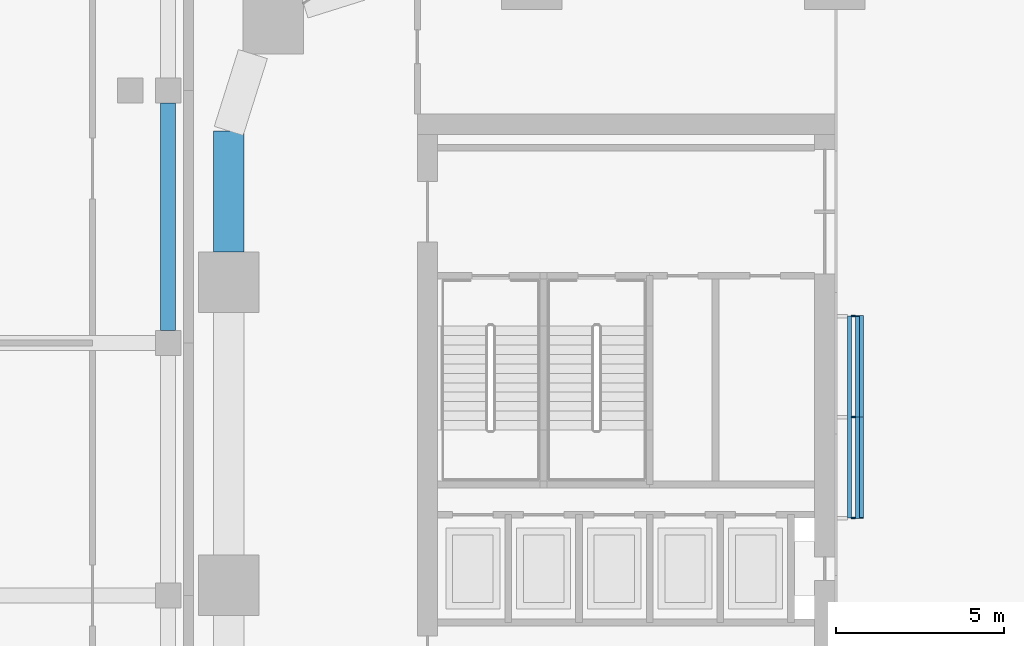
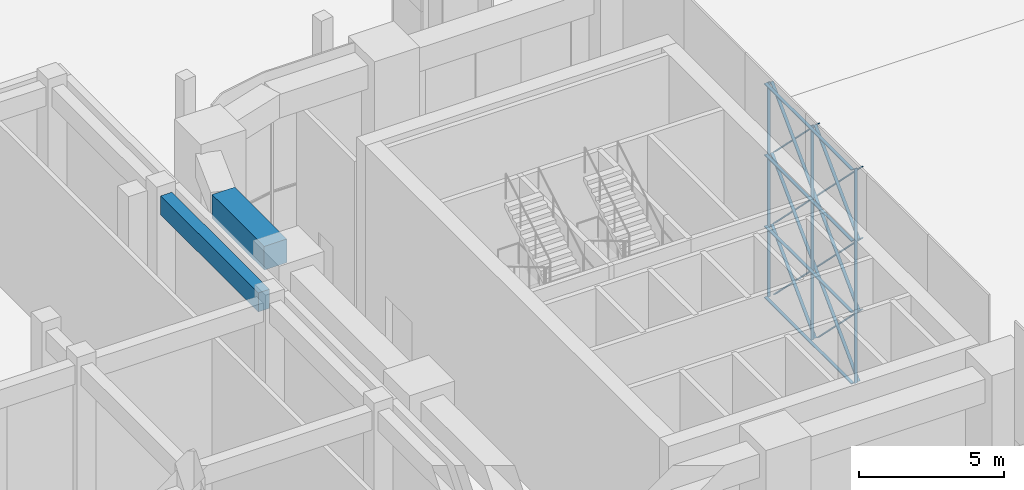
# One storey, part 16 of 64: 15 members, 2 beams.
"""IFC4 building model written with IfcOpenShell, lengths in metres."""

from ifc_helpers import new_model, si_unit, direction, frame, origin, origin_2d, place, context, subcontext, project, spatial, rectangle, extrude, material, material_profile, profile_set, type_object, element, save


model = new_model("IFC4")

# Units and contexts
model_context = context("Model", 3, precision=1e-05, world=origin(), true_north=direction((0.0, 1.0)))
body_context = subcontext(model_context, "Body", "Model", "MODEL_VIEW")
ifc_project = project(units=[si_unit("LENGTHUNIT", "METRE"), si_unit("AREAUNIT", "SQUARE_METRE"), si_unit("VOLUMEUNIT", "CUBIC_METRE"), si_unit("PLANEANGLEUNIT", "RADIAN"), si_unit("MASSUNIT", "GRAM", prefix="KILO")], contexts=[model_context])

# Site, building, storey
site_placement = place(None, origin())
site = spatial("IfcSite", under=ifc_project, at=site_placement, CompositionType="ELEMENT")
building_placement = place(site_placement, origin())
building = spatial("IfcBuilding", under=site, at=building_placement, Name="Tessera Arch", CompositionType="ELEMENT")
storey_placement = place(building_placement, origin())
storey = spatial("IfcBuildingStorey", under=building, at=storey_placement, Name="L00", CompositionType="ELEMENT", Elevation=0.0)

# Members
ifc_material_1 = material(Name="Anodised aluminium gold", Category="aluminium")
ifc_material_profile_1 = material_profile(ifc_material_1, rectangle(XDim=0.1201171875, YDim=0.0400390625, at=origin_2d()), Name="AL 40x120")
ifc_profile_set_1 = profile_set([ifc_material_profile_1], Name="Anodised aluminium gold")
member_type = type_object("IfcMemberType", Name="Mashrabiya lattice blade", PredefinedType="USERDEFINED", material=ifc_profile_set_1)
for number, where, z_axis, x_axis, name in (
    (1, (18.429931640625, 38.0, 0.0), (0.0, 1.0, 0.0), (-1.0, 0.0, 0.0), "Lattice blade horizontal"),
    (2, (18.429931640625, 38.0, 3.0), (0.0, 1.0, 0.0), (-1.0, 0.0, 0.0), "Lattice blade horizontal"),
    (3, (18.429931640625, 38.0, 6.0), (0.0, 1.0, 0.0), (-1.0, 0.0, 0.0), "Lattice blade horizontal"),
    (4, (18.429931640625, 38.0, 9.0), (0.0, 1.0, 0.0), (-1.0, 0.0, 0.0), "Lattice blade horizontal"),
):
    element("IfcMember", number, at=place(storey_placement, frame(where, z_axis=z_axis, x_axis=x_axis)), inside=storey, type_object=member_type, Name=name, ObjectType="FIN", PredefinedType="USERDEFINED", context=body_context, shape_type="SweptSolid", body=[
        extrude(rectangle(XDim=0.1201171875, YDim=0.0400390625, at=origin_2d()), origin(), (0.0, 0.0, 1.0), 6.0),
    ])
for number, where, z_axis, x_axis, name in (
    (5, (18.550048828125, 38.0, -0.02001953125), (0.0, 0.0, 1.0), (1.0, 0.0, 0.0), "Lattice blade vertical"),
    (6, (18.550048828125, 41.0, -0.02001953125), (0.0, 0.0, 1.0), (1.0, 0.0, 0.0), "Lattice blade vertical"),
    (7, (18.550048828125, 44.0, -0.02001953125), (0.0, 0.0, 1.0), (1.0, 0.0, 0.0), "Lattice blade vertical"),
):
    element("IfcMember", number, at=place(storey_placement, frame(where, z_axis=z_axis, x_axis=x_axis)), inside=storey, type_object=member_type, Name=name, ObjectType="FIN", PredefinedType="USERDEFINED", context=body_context, shape_type="SweptSolid", body=[
        extrude(rectangle(XDim=0.1201171875, YDim=0.0400390625, at=origin_2d()), origin(), (0.0, 0.0, 1.0), 9.0400390625),
    ])
member_1_placement = place(storey_placement, frame((18.669921875, 38.0, 6.0), z_axis=(0.0, 0.707106781187, 0.707106781187), x_axis=(-1.0, 0.0, 0.0)))
element("IfcMember", 8, at=member_1_placement, inside=storey, type_object=member_type, Name="Lattice blade diagonal", ObjectType="FIN", PredefinedType="USERDEFINED", context=body_context, shape_type="SweptSolid", body=[
    extrude(rectangle(XDim=0.1201171875, YDim=0.0400390625, at=origin_2d()), origin(), (0.0, 0.0, 1.0), 4.24267578125),
])
for number, where, z_axis, x_axis, name in (
    (9, (18.669921875, 38.0, 3.0), (0.0, 0.707106781187, 0.707106781187), (-1.0, 0.0, 0.0), "Lattice blade diagonal"),
    (10, (18.669921875, 38.0, 0.0), (0.0, 0.707106781187, 0.707106781187), (-1.0, 0.0, 0.0), "Lattice blade diagonal"),
):
    element("IfcMember", number, at=place(storey_placement, frame(where, z_axis=z_axis, x_axis=x_axis)), inside=storey, type_object=member_type, Name=name, ObjectType="FIN", PredefinedType="USERDEFINED", context=body_context, shape_type="SweptSolid", body=[
        extrude(rectangle(XDim=0.1201171875, YDim=0.0400390625, at=origin_2d()), origin(), (0.0, 0.0, 1.0), 8.4853515625),
    ])
for number, where, z_axis, x_axis, name in (
    (11, (18.669921875, 41.0, 0.0), (0.0, 0.707106781187, 0.707106781187), (-1.0, 0.0, 0.0), "Lattice blade diagonal"),
    (12, (18.7900390625, 38.0, 3.0), (0.0, 0.707106781187, -0.707106781187), (-1.0, 0.0, 0.0), "Lattice blade diagonal"),
):
    element("IfcMember", number, at=place(storey_placement, frame(where, z_axis=z_axis, x_axis=x_axis)), inside=storey, type_object=member_type, Name=name, ObjectType="FIN", PredefinedType="USERDEFINED", context=body_context, shape_type="SweptSolid", body=[
        extrude(rectangle(XDim=0.1201171875, YDim=0.0400390625, at=origin_2d()), origin(), (0.0, 0.0, 1.0), 4.24267578125),
    ])
for number, where, z_axis, x_axis, name in (
    (13, (18.7900390625, 38.0, 6.0), (0.0, 0.707106781187, -0.707106781187), (-1.0, 0.0, 0.0), "Lattice blade diagonal"),
    (14, (18.7900390625, 38.0, 9.0), (0.0, 0.707106781187, -0.707106781187), (-1.0, 0.0, 0.0), "Lattice blade diagonal"),
):
    element("IfcMember", number, at=place(storey_placement, frame(where, z_axis=z_axis, x_axis=x_axis)), inside=storey, type_object=member_type, Name=name, ObjectType="FIN", PredefinedType="USERDEFINED", context=body_context, shape_type="SweptSolid", body=[
        extrude(rectangle(XDim=0.1201171875, YDim=0.0400390625, at=origin_2d()), origin(), (0.0, 0.0, 1.0), 8.4853515625),
    ])
member_2_placement = place(storey_placement, frame((18.7900390625, 41.0, 9.0), z_axis=(0.0, 0.707106781187, -0.707106781187), x_axis=(-1.0, 0.0, 0.0)))
element("IfcMember", 15, at=member_2_placement, inside=storey, type_object=member_type, Name="Lattice blade diagonal", ObjectType="FIN", PredefinedType="USERDEFINED", context=body_context, shape_type="SweptSolid", body=[
    extrude(rectangle(XDim=0.1201171875, YDim=0.0400390625, at=origin_2d()), origin(), (0.0, 0.0, 1.0), 4.24267578125),
])

# Beams
ifc_material_2 = material(Name="Concrete C40/50", Category="concrete")
ifc_material_profile_2 = material_profile(ifc_material_2, rectangle(XDim=0.449951171875, YDim=0.800048828125, at=origin_2d()), Name="Museum beam 450 x 800 Concrete C40/50")
ifc_profile_set_2 = profile_set([ifc_material_profile_2], Name="Concrete C40/50")
beam_type_1 = type_object("IfcBeamType", Name="Museum beam 450 x 800 Concrete C40/50", PredefinedType="BEAM", material=ifc_profile_set_2)
beam_1_placement = place(storey_placement, frame((-1.800048828125, 43.574951171875, 7.18994140625), z_axis=(0.0, 1.0, 0.0), x_axis=(-1.0, 0.0, 0.0)))
element("IfcBeam", 16, at=beam_1_placement, inside=storey, type_object=beam_type_1, Name="Museum beam L00 44", PredefinedType="BEAM", context=body_context, shape_type="SweptSolid", body=[
    extrude(rectangle(XDim=0.449951171875, YDim=0.800048828125, at=origin_2d()), origin(), (0.0, 0.0, 1.0), 6.75),
])
ifc_material_3 = material(Name="Concrete C80/95", Category="concrete")
ifc_material_profile_3 = material_profile(ifc_material_3, rectangle(XDim=0.89990234375, YDim=1.0, at=origin_2d()), Name="RC spandrel beam 900 x 1000 Concrete C80/95")
ifc_profile_set_3 = profile_set([ifc_material_profile_3], Name="Concrete C80/95")
beam_type_2 = type_object("IfcBeamType", Name="RC spandrel beam 900 x 1000 Concrete C80/95", PredefinedType="BEAM", material=ifc_profile_set_3)
beam_2_placement = place(storey_placement, frame((0.0, 49.5, 7.090087890625), z_axis=(0.0, -1.0, 0.0), x_axis=(1.0, 0.0, 0.0)))
element("IfcBeam", 17, at=beam_2_placement, inside=storey, type_object=beam_type_2, Name="Spandrel beam L00 W0.0/0.2", PredefinedType="BEAM", context=body_context, shape_type="SweptSolid", body=[
    extrude(rectangle(XDim=0.89990234375, YDim=1.0, at=origin_2d()), origin(), (0.0, 0.0, 1.0), 3.60009765625),
])

save(model, "model.ifc")
